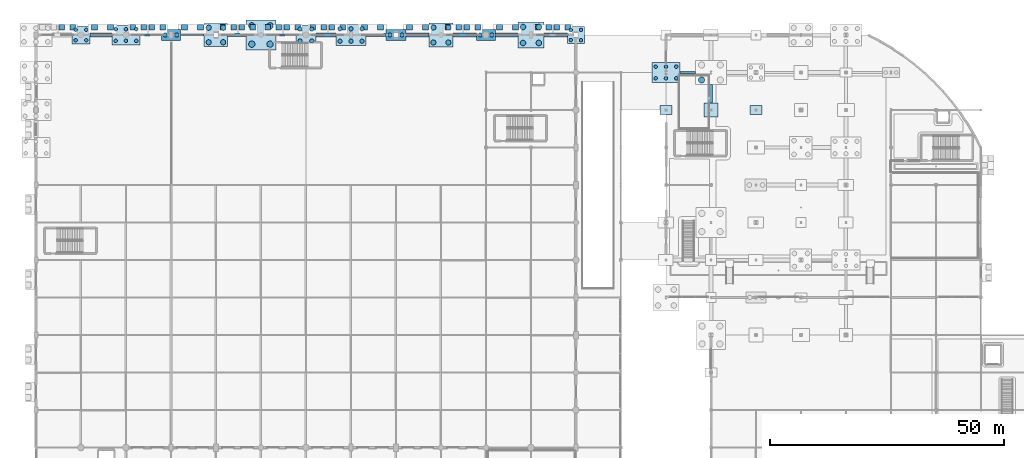
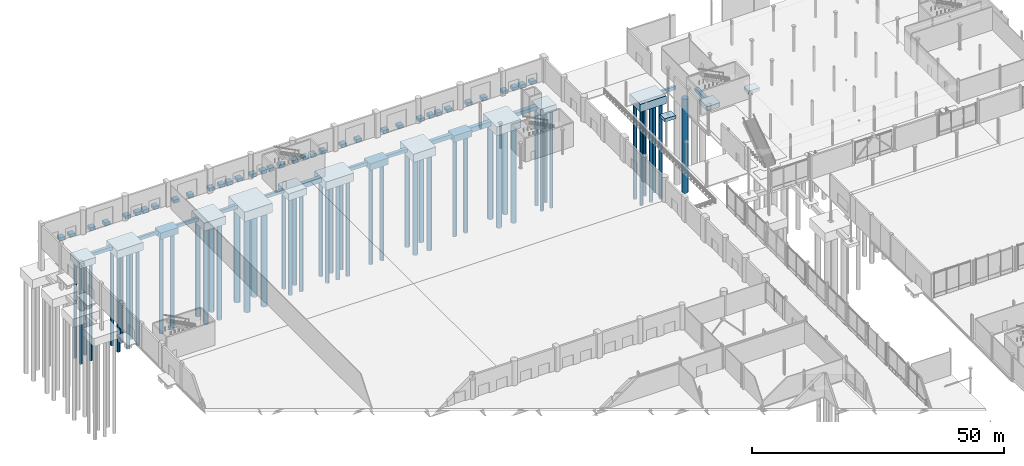
# One storey, part 4 of 124: 65 footings, 53 piles.
"""IFC4 building model written with IfcOpenShell, lengths in metres."""

from ifc_helpers import new_model, si_unit, direction, frame, origin, origin_2d, place, context, subcontext, project, spatial, rectangle, circle, extrude, material, material_profile, profile_set, type_object, element, save


model = new_model("IFC4")

# Units and contexts
model_context = context("Model", 3, precision=1e-05, world=origin(), true_north=direction((0.0, 1.0)))
body_context = subcontext(model_context, "Body", "Model", "MODEL_VIEW")
ifc_project = project(units=[si_unit("LENGTHUNIT", "METRE"), si_unit("AREAUNIT", "SQUARE_METRE"), si_unit("VOLUMEUNIT", "CUBIC_METRE"), si_unit("PLANEANGLEUNIT", "RADIAN"), si_unit("MASSUNIT", "GRAM", prefix="KILO")], contexts=[model_context])

# Site, building, storey
site_placement = place(None, origin())
site = spatial("IfcSite", under=ifc_project, at=site_placement, CompositionType="ELEMENT")
building_placement = place(site_placement, origin())
building = spatial("IfcBuilding", under=site, at=building_placement, Name="Danafjord Basin Convention Centre", CompositionType="ELEMENT")
storey_placement = place(building_placement, origin())
storey = spatial("IfcBuildingStorey", under=building, at=storey_placement, Name="L00", CompositionType="ELEMENT", Elevation=0.0)

# Footings
ifc_material_1 = material(Name="Concrete C40/50", Category="concrete")
footing_type_1 = type_object("IfcFootingType", Name="CAP-PC-03", PredefinedType="PILE_CAP", material=ifc_material_1)
for number, where, z_axis, x_axis, name in (
    (1, (28.800048828125, 144.0, -6.9501953125), (0.0, 0.0, 1.0), (1.0, 0.0, 0.0), "L00 pile cap PC-03 at (28.8, 144.0)"),
    (2, (96.0, 144.0, -6.9501953125), (0.0, 0.0, 1.0), (1.0, 0.0, 0.0), "L00 pile cap PC-03 at (96.0, 144.0)"),
):
    element("IfcFooting", number, at=place(storey_placement, frame(where, z_axis=z_axis, x_axis=x_axis)), inside=storey, type_object=footing_type_1, Name=name, PredefinedType="PILE_CAP", context=body_context, shape_type="SweptSolid", body=[
        extrude(rectangle(XDim=4.10009765625, YDim=2.300048828125, at=origin_2d()), origin(), (0.0, 0.0, 1.0), 1.550048828125),
    ])
footing_type_2 = type_object("IfcFootingType", Name="CAP-PC-04", PredefinedType="PILE_CAP", material=ifc_material_1)
footing_1_placement = place(storey_placement, frame((76.800048828125, 144.0, -7.0), z_axis=(0.0, 0.0, 1.0), x_axis=(1.0, 0.0, 0.0)))
element("IfcFooting", 3, at=footing_1_placement, inside=storey, type_object=footing_type_2, Name="L00 pile cap PC-04 at (76.8, 144.0)", PredefinedType="PILE_CAP", context=body_context, shape_type="SweptSolid", body=[
    extrude(rectangle(XDim=4.300048828125, YDim=2.39990234375, at=origin_2d()), origin(), (0.0, 0.0, 1.0), 1.60009765625),
])
footing_type_3 = type_object("IfcFootingType", Name="CAP-PC-06", PredefinedType="PILE_CAP", material=ifc_material_1)
footing_2_placement = place(storey_placement, frame((115.199951171875, 144.0, -6.89990234375), z_axis=(0.0, 0.0, 1.0), x_axis=(1.0, 0.0, 0.0)))
element("IfcFooting", 4, at=footing_2_placement, inside=storey, type_object=footing_type_3, Name="L00 pile cap PC-06 at (115.2, 144.0)", PredefinedType="PILE_CAP", context=body_context, shape_type="SweptSolid", body=[
    extrude(rectangle(XDim=3.60009765625, YDim=3.60009765625, at=origin_2d()), origin(), (0.0, 0.0, 1.0), 1.5),
])
footing_type_4 = type_object("IfcFootingType", Name="CAP-PC-07", PredefinedType="PILE_CAP", material=ifc_material_1)
footing_3_placement = place(storey_placement, frame((9.60009765625, 144.0, -6.9501953125), z_axis=(0.0, 0.0, 1.0), x_axis=(1.0, 0.0, 0.0)))
element("IfcFooting", 5, at=footing_3_placement, inside=storey, type_object=footing_type_4, Name="L00 pile cap PC-07 at (9.6, 144.0)", PredefinedType="PILE_CAP", context=body_context, shape_type="SweptSolid", body=[
    extrude(rectangle(XDim=3.800048828125, YDim=3.800048828125, at=origin_2d()), origin(), (0.0, 0.0, 1.0), 1.550048828125),
])
footing_type_5 = type_object("IfcFootingType", Name="CAP-PC-08", PredefinedType="PILE_CAP", material=ifc_material_1)
footing_4_placement = place(storey_placement, frame((57.60009765625, 144.0, -7.050048828125), z_axis=(0.0, 0.0, 1.0), x_axis=(1.0, 0.0, 0.0)))
element("IfcFooting", 6, at=footing_4_placement, inside=storey, type_object=footing_type_5, Name="L00 pile cap PC-08 at (57.6, 144.0)", PredefinedType="PILE_CAP", context=body_context, shape_type="SweptSolid", body=[
    extrude(rectangle(XDim=4.199951171875, YDim=4.199951171875, at=origin_2d()), origin(), (0.0, 0.0, 1.0), 1.64990234375),
])
footing_type_6 = type_object("IfcFootingType", Name="CAP-PC-12", PredefinedType="PILE_CAP", material=ifc_material_1)
footing_5_placement = place(storey_placement, frame((38.39990234375, 144.0, -7.35009765625), z_axis=(0.0, 0.0, 1.0), x_axis=(1.0, 0.0, 0.0)))
element("IfcFooting", 7, at=footing_5_placement, inside=storey, type_object=footing_type_6, Name="L00 pile cap PC-12 at (38.4, 144.0)", PredefinedType="PILE_CAP", context=body_context, shape_type="SweptSolid", body=[
    extrude(rectangle(XDim=5.0, YDim=5.0, at=origin_2d()), origin(), (0.0, 0.0, 1.0), 1.949951171875),
])
footing_type_7 = type_object("IfcFootingType", Name="CAP-PC-13", PredefinedType="PILE_CAP", material=ifc_material_1)
footing_6_placement = place(storey_placement, frame((86.39990234375, 144.0, -7.39990234375), z_axis=(0.0, 0.0, 1.0), x_axis=(1.0, 0.0, 0.0)))
element("IfcFooting", 8, at=footing_6_placement, inside=storey, type_object=footing_type_7, Name="L00 pile cap PC-13 at (86.4, 144.0)", PredefinedType="PILE_CAP", context=body_context, shape_type="SweptSolid", body=[
    extrude(rectangle(XDim=5.199951171875, YDim=5.199951171875, at=origin_2d()), origin(), (0.0, 0.0, 1.0), 2.0),
])
footing_type_8 = type_object("IfcFootingType", Name="CAP-PC-14", PredefinedType="PILE_CAP", material=ifc_material_1)
footing_7_placement = place(storey_placement, frame((105.60009765625, 144.0, -7.5), z_axis=(0.0, 0.0, 1.0), x_axis=(1.0, 0.0, 0.0)))
element("IfcFooting", 9, at=footing_7_placement, inside=storey, type_object=footing_type_8, Name="L00 pile cap PC-14 at (105.6, 144.0)", PredefinedType="PILE_CAP", context=body_context, shape_type="SweptSolid", body=[
    extrude(rectangle(XDim=5.5, YDim=5.5, at=origin_2d()), origin(), (0.0, 0.0, 1.0), 2.10009765625),
])
footing_type_9 = type_object("IfcFootingType", Name="CAP-PC-16", PredefinedType="PILE_CAP", material=ifc_material_1)
for number, where, z_axis, x_axis, name in (
    (10, (19.199951171875, 144.0, -7.300048828125), (0.0, 0.0, 1.0), (1.0, 0.0, 0.0), "L00 pile cap PC-16 at (19.2, 144.0)"),
    (11, (134.39990234375, 136.0, -7.300048828125), (0.0, 0.0, 1.0), (1.0, 0.0, 0.0), "L00 pile cap PC-16 at (134.4, 136.0)"),
):
    element("IfcFooting", number, at=place(storey_placement, frame(where, z_axis=z_axis, x_axis=x_axis)), inside=storey, type_object=footing_type_9, Name=name, PredefinedType="PILE_CAP", context=body_context, shape_type="SweptSolid", body=[
        extrude(rectangle(XDim=6.0, YDim=4.300048828125, at=origin_2d()), origin(), (0.0, 0.0, 1.0), 1.89990234375),
    ])
footing_type_10 = type_object("IfcFootingType", Name="CAP-PC-17", PredefinedType="PILE_CAP", material=ifc_material_1)
footing_8_placement = place(storey_placement, frame((67.199951171875, 144.0, -7.39990234375), z_axis=(0.0, 0.0, 1.0), x_axis=(1.0, 0.0, 0.0)))
element("IfcFooting", 12, at=footing_8_placement, inside=storey, type_object=footing_type_10, Name="L00 pile cap PC-17 at (67.2, 144.0)", PredefinedType="PILE_CAP", context=body_context, shape_type="SweptSolid", body=[
    extrude(rectangle(XDim=6.39990234375, YDim=4.5, at=origin_2d()), origin(), (0.0, 0.0, 1.0), 2.0),
])
footing_type_11 = type_object("IfcFootingType", Name="CAP-PC-21", PredefinedType="PILE_CAP", material=ifc_material_1)
footing_9_placement = place(storey_placement, frame((48.0, 144.0, -7.7001953125), z_axis=(0.0, 0.0, 1.0), x_axis=(1.0, 0.0, 0.0)))
element("IfcFooting", 13, at=footing_9_placement, inside=storey, type_object=footing_type_11, Name="L00 pile cap PC-21 at (48.0, 144.0)", PredefinedType="PILE_CAP", context=body_context, shape_type="SweptSolid", body=[
    extrude(rectangle(XDim=6.39990234375, YDim=6.39990234375, at=origin_2d()), origin(), (0.0, 0.0, 1.0), 2.300048828125),
])
ifc_material_profile_1 = material_profile(ifc_material_1, rectangle(XDim=0.800048828125, YDim=1.0, at=origin_2d()), Name="GB 800x1000")
ifc_profile_set_1 = profile_set([ifc_material_profile_1], Name="Concrete C40/50")
footing_type_12 = type_object("IfcFootingType", Name="FBM-FB-01", PredefinedType="FOOTING_BEAM", material=ifc_profile_set_1)
footing_10_placement = place(storey_placement, frame((89.0, 144.0, -5.89990234375), z_axis=(1.0, 0.0, 0.0), x_axis=(0.0, 1.0, 0.0)))
element("IfcFooting", 14, at=footing_10_placement, inside=storey, type_object=footing_type_12, Name="L00 foundation beam FB-01", PredefinedType="FOOTING_BEAM", context=body_context, shape_type="SweptSolid", body=[
    extrude(rectangle(XDim=0.800048828125, YDim=1.0, at=origin_2d()), origin(), (0.0, 0.0, 1.0), 4.949951171875),
])
ifc_material_profile_2 = material_profile(ifc_material_1, rectangle(XDim=0.60009765625, YDim=0.89990234375, at=origin_2d()), Name="GB 600x900")
ifc_profile_set_2 = profile_set([ifc_material_profile_2], Name="Concrete C40/50")
footing_type_13 = type_object("IfcFootingType", Name="FBM-FB-02", PredefinedType="FOOTING_BEAM", material=ifc_profile_set_2)
footing_11_placement = place(storey_placement, frame((40.89990234375, 144.0, -5.85009765625), z_axis=(1.0, 0.0, 0.0), x_axis=(0.0, 1.0, 0.0)))
element("IfcFooting", 15, at=footing_11_placement, inside=storey, type_object=footing_type_13, Name="L00 foundation beam FB-02", PredefinedType="FOOTING_BEAM", context=body_context, shape_type="SweptSolid", body=[
    extrude(rectangle(XDim=0.60009765625, YDim=0.89990234375, at=origin_2d()), origin(), (0.0, 0.0, 1.0), 3.900146484375),
])
footing_12_placement = place(storey_placement, frame((70.39990234375, 144.0, -5.85009765625), z_axis=(1.0, 0.0, 0.0), x_axis=(0.0, 1.0, 0.0)))
element("IfcFooting", 16, at=footing_12_placement, inside=storey, type_object=footing_type_13, Name="L00 foundation beam FB-02", PredefinedType="FOOTING_BEAM", context=body_context, shape_type="SweptSolid", body=[
    extrude(rectangle(XDim=0.60009765625, YDim=0.89990234375, at=origin_2d()), origin(), (0.0, 0.0, 1.0), 4.25),
])
ifc_material_profile_3 = material_profile(ifc_material_1, rectangle(XDim=0.5, YDim=0.800048828125, at=origin_2d()), Name="PCB 500x800")
ifc_profile_set_3 = profile_set([ifc_material_profile_3], Name="Concrete C40/50")
footing_type_14 = type_object("IfcFootingType", Name="FBM-FB-03", PredefinedType="FOOTING_BEAM", material=ifc_profile_set_3)
footing_13_placement = place(storey_placement, frame((22.199951171875, 144.0, -5.800048828125), z_axis=(1.0, 0.0, 0.0), x_axis=(0.0, 1.0, 0.0)))
element("IfcFooting", 17, at=footing_13_placement, inside=storey, type_object=footing_type_14, Name="L00 foundation beam FB-03", PredefinedType="FOOTING_BEAM", context=body_context, shape_type="SweptSolid", body=[
    extrude(rectangle(XDim=0.5, YDim=0.800048828125, at=origin_2d()), origin(), (0.0, 0.0, 1.0), 4.550048828125),
])
footing_14_placement = place(storey_placement, frame((30.85009765625, 144.0, -5.800048828125), z_axis=(1.0, 0.0, 0.0), x_axis=(0.0, 1.0, 0.0)))
element("IfcFooting", 18, at=footing_14_placement, inside=storey, type_object=footing_type_14, Name="L00 foundation beam FB-03", PredefinedType="FOOTING_BEAM", context=body_context, shape_type="SweptSolid", body=[
    extrude(rectangle(XDim=0.5, YDim=0.800048828125, at=origin_2d()), origin(), (0.0, 0.0, 1.0), 5.0498046875),
])
footing_15_placement = place(storey_placement, frame((51.199951171875, 144.0, -5.800048828125), z_axis=(1.0, 0.0, 0.0), x_axis=(0.0, 1.0, 0.0)))
element("IfcFooting", 19, at=footing_15_placement, inside=storey, type_object=footing_type_14, Name="L00 foundation beam FB-03", PredefinedType="FOOTING_BEAM", context=body_context, shape_type="SweptSolid", body=[
    extrude(rectangle(XDim=0.5, YDim=0.800048828125, at=origin_2d()), origin(), (0.0, 0.0, 1.0), 4.300048828125),
])
footing_16_placement = place(storey_placement, frame((137.39990234375, 136.0, -5.800048828125), z_axis=(1.0, 0.0, 0.0), x_axis=(0.0, 1.0, 0.0)))
element("IfcFooting", 20, at=footing_16_placement, inside=storey, type_object=footing_type_14, Name="L00 foundation beam FB-03", PredefinedType="FOOTING_BEAM", context=body_context, shape_type="SweptSolid", body=[
    extrude(rectangle(XDim=0.5, YDim=0.800048828125, at=origin_2d()), origin(), (0.0, 0.0, 1.0), 3.300048828125),
])
ifc_material_profile_4 = material_profile(ifc_material_1, rectangle(XDim=0.75, YDim=0.75, at=origin_2d()), Name="RC 750x750")
ifc_profile_set_4 = profile_set([ifc_material_profile_4], Name="Concrete C40/50")
footing_type_15 = type_object("IfcFootingType", Name="FBM-FB-04", PredefinedType="FOOTING_BEAM", material=ifc_profile_set_4)
footing_17_placement = place(storey_placement, frame((11.5, 144.0, -5.77490234375), z_axis=(1.0, 0.0, 0.0), x_axis=(0.0, 1.0, 0.0)))
element("IfcFooting", 21, at=footing_17_placement, inside=storey, type_object=footing_type_15, Name="L00 foundation beam FB-04", PredefinedType="FOOTING_BEAM", context=body_context, shape_type="SweptSolid", body=[
    extrude(rectangle(XDim=0.75, YDim=0.75, at=origin_2d()), origin(), (0.0, 0.0, 1.0), 4.699951171875),
])
footing_18_placement = place(storey_placement, frame((78.949951171875, 144.0, -5.77490234375), z_axis=(1.0, 0.0, 0.0), x_axis=(0.0, 1.0, 0.0)))
element("IfcFooting", 22, at=footing_18_placement, inside=storey, type_object=footing_type_15, Name="L00 foundation beam FB-04", PredefinedType="FOOTING_BEAM", context=body_context, shape_type="SweptSolid", body=[
    extrude(rectangle(XDim=0.75, YDim=0.75, at=origin_2d()), origin(), (0.0, 0.0, 1.0), 4.85009765625),
])
footing_19_placement = place(storey_placement, frame((144.0, 129.5, -5.77490234375), z_axis=(0.0, 1.0, 0.0), x_axis=(-1.0, 0.0, 0.0)))
element("IfcFooting", 23, at=footing_19_placement, inside=storey, type_object=footing_type_15, Name="L00 foundation tie beam FB-04", PredefinedType="FOOTING_BEAM", context=body_context, shape_type="SweptSolid", body=[
    extrude(rectangle(XDim=0.75, YDim=0.75, at=origin_2d()), origin(), (0.0, 0.0, 1.0), 3.89990234375),
])
ifc_material_profile_5 = material_profile(ifc_material_1, rectangle(XDim=0.89990234375, YDim=0.89990234375, at=origin_2d()), Name="RC 900x900")
ifc_profile_set_5 = profile_set([ifc_material_profile_5], Name="Concrete C40/50")
footing_type_16 = type_object("IfcFootingType", Name="FBM-FB-05", PredefinedType="FOOTING_BEAM", material=ifc_profile_set_5)
footing_20_placement = place(storey_placement, frame((108.35009765625, 144.0, -5.85009765625), z_axis=(1.0, 0.0, 0.0), x_axis=(0.0, 1.0, 0.0)))
element("IfcFooting", 24, at=footing_20_placement, inside=storey, type_object=footing_type_16, Name="L00 foundation beam FB-05", PredefinedType="FOOTING_BEAM", context=body_context, shape_type="SweptSolid", body=[
    extrude(rectangle(XDim=0.89990234375, YDim=0.89990234375, at=origin_2d()), origin(), (0.0, 0.0, 1.0), 5.0498046875),
])
ifc_material_profile_6 = material_profile(ifc_material_1, rectangle(XDim=0.800048828125, YDim=1.199951171875, at=origin_2d()), Name="RC 1200x800")
ifc_profile_set_6 = profile_set([ifc_material_profile_6], Name="Concrete C40/50")
footing_type_17 = type_object("IfcFootingType", Name="FBM-FB-06", PredefinedType="FOOTING_BEAM", material=ifc_profile_set_6)
footing_21_placement = place(storey_placement, frame((59.699951171875, 144.0, -6.0), z_axis=(1.0, 0.0, 0.0), x_axis=(0.0, 1.0, 0.0)))
element("IfcFooting", 25, at=footing_21_placement, inside=storey, type_object=footing_type_17, Name="L00 foundation beam FB-06", PredefinedType="FOOTING_BEAM", context=body_context, shape_type="SweptSolid", body=[
    extrude(rectangle(XDim=0.800048828125, YDim=1.199951171875, at=origin_2d()), origin(), (0.0, 0.0, 1.0), 4.300048828125),
])
footing_22_placement = place(storey_placement, frame((98.050048828125, 144.0, -6.0), z_axis=(1.0, 0.0, 0.0), x_axis=(0.0, 1.0, 0.0)))
element("IfcFooting", 26, at=footing_22_placement, inside=storey, type_object=footing_type_17, Name="L00 foundation beam FB-06", PredefinedType="FOOTING_BEAM", context=body_context, shape_type="SweptSolid", body=[
    extrude(rectangle(XDim=0.800048828125, YDim=1.199951171875, at=origin_2d()), origin(), (0.0, 0.0, 1.0), 4.800048828125),
])
ifc_material_2 = material(Name="Concrete C35/45", Category="concrete")
footing_type_18 = type_object("IfcFootingType", Name="PAD-PF-01", PredefinedType="PAD_FOOTING", material=ifc_material_2)
for number, where, z_axis, x_axis, name in (
    (27, (5.512939453125, 145.64990234375, -1.080078125), (0.0, 0.0, 1.0), (1.0, 0.0, 0.0), "Threshold apron pad footing"),
    (28, (7.866943359375, 145.64990234375, -1.080078125), (0.0, 0.0, 1.0), (1.0, 0.0, 0.0), "Threshold apron pad footing"),
    (29, (12.4951171875, 145.64990234375, -1.080078125), (0.0, 0.0, 1.0), (1.0, 0.0, 0.0), "Threshold apron pad footing"),
    (30, (15.905029296875, 145.64990234375, -1.080078125), (0.0, 0.0, 1.0), (1.0, 0.0, 0.0), "Threshold apron pad footing"),
    (31, (20.613037109375, 145.64990234375, -1.080078125), (0.0, 0.0, 1.0), (1.0, 0.0, 0.0), "Threshold apron pad footing"),
    (32, (22.967041015625, 145.64990234375, -1.080078125), (0.0, 0.0, 1.0), (1.0, 0.0, 0.0), "Threshold apron pad footing"),
    (33, (24.712890625, 145.64990234375, -1.080078125), (0.0, 0.0, 1.0), (1.0, 0.0, 0.0), "Threshold apron pad footing"),
    (34, (27.06689453125, 145.64990234375, -1.080078125), (0.0, 0.0, 1.0), (1.0, 0.0, 0.0), "Threshold apron pad footing"),
    (35, (31.695068359375, 145.64990234375, -1.080078125), (0.0, 0.0, 1.0), (1.0, 0.0, 0.0), "Threshold apron pad footing"),
    (36, (35.10498046875, 145.64990234375, -1.080078125), (0.0, 0.0, 1.0), (1.0, 0.0, 0.0), "Threshold apron pad footing"),
    (37, (39.81298828125, 145.64990234375, -1.080078125), (0.0, 0.0, 1.0), (1.0, 0.0, 0.0), "Threshold apron pad footing"),
    (38, (42.1669921875, 145.64990234375, -1.080078125), (0.0, 0.0, 1.0), (1.0, 0.0, 0.0), "Threshold apron pad footing"),
    (39, (43.9130859375, 145.64990234375, -1.080078125), (0.0, 0.0, 1.0), (1.0, 0.0, 0.0), "Threshold apron pad footing"),
    (40, (46.26708984375, 145.64990234375, -1.080078125), (0.0, 0.0, 1.0), (1.0, 0.0, 0.0), "Threshold apron pad footing"),
    (41, (49.4130859375, 145.64990234375, -1.080078125), (0.0, 0.0, 1.0), (1.0, 0.0, 0.0), "Threshold apron pad footing"),
    (42, (51.76708984375, 145.64990234375, -1.080078125), (0.0, 0.0, 1.0), (1.0, 0.0, 0.0), "Threshold apron pad footing"),
    (43, (53.512939453125, 145.64990234375, -1.080078125), (0.0, 0.0, 1.0), (1.0, 0.0, 0.0), "Threshold apron pad footing"),
    (44, (55.866943359375, 145.64990234375, -1.080078125), (0.0, 0.0, 1.0), (1.0, 0.0, 0.0), "Threshold apron pad footing"),
    (45, (59.012939453125, 145.64990234375, -1.080078125), (0.0, 0.0, 1.0), (1.0, 0.0, 0.0), "Threshold apron pad footing"),
    (46, (61.366943359375, 145.64990234375, -1.080078125), (0.0, 0.0, 1.0), (1.0, 0.0, 0.0), "Threshold apron pad footing"),
    (47, (63.113037109375, 145.64990234375, -1.080078125), (0.0, 0.0, 1.0), (1.0, 0.0, 0.0), "Threshold apron pad footing"),
    (48, (65.467041015625, 145.64990234375, -1.080078125), (0.0, 0.0, 1.0), (1.0, 0.0, 0.0), "Threshold apron pad footing"),
    (49, (70.094970703125, 145.64990234375, -1.080078125), (0.0, 0.0, 1.0), (1.0, 0.0, 0.0), "Threshold apron pad footing"),
    (50, (73.5048828125, 145.64990234375, -1.080078125), (0.0, 0.0, 1.0), (1.0, 0.0, 0.0), "Threshold apron pad footing"),
    (51, (79.695068359375, 145.64990234375, -1.080078125), (0.0, 0.0, 1.0), (1.0, 0.0, 0.0), "Threshold apron pad footing"),
    (52, (83.10498046875, 145.64990234375, -1.080078125), (0.0, 0.0, 1.0), (1.0, 0.0, 0.0), "Threshold apron pad footing"),
    (53, (87.81298828125, 145.64990234375, -1.080078125), (0.0, 0.0, 1.0), (1.0, 0.0, 0.0), "Threshold apron pad footing"),
    (54, (90.1669921875, 145.64990234375, -1.080078125), (0.0, 0.0, 1.0), (1.0, 0.0, 0.0), "Threshold apron pad footing"),
    (55, (91.9130859375, 145.64990234375, -1.080078125), (0.0, 0.0, 1.0), (1.0, 0.0, 0.0), "Threshold apron pad footing"),
    (56, (94.26708984375, 145.64990234375, -1.080078125), (0.0, 0.0, 1.0), (1.0, 0.0, 0.0), "Threshold apron pad footing"),
    (57, (98.89501953125, 145.64990234375, -1.080078125), (0.0, 0.0, 1.0), (1.0, 0.0, 0.0), "Threshold apron pad footing"),
    (58, (102.304931640625, 145.64990234375, -1.080078125), (0.0, 0.0, 1.0), (1.0, 0.0, 0.0), "Threshold apron pad footing"),
    (59, (107.012939453125, 145.64990234375, -1.080078125), (0.0, 0.0, 1.0), (1.0, 0.0, 0.0), "Threshold apron pad footing"),
    (60, (109.366943359375, 145.64990234375, -1.080078125), (0.0, 0.0, 1.0), (1.0, 0.0, 0.0), "Threshold apron pad footing"),
    (61, (111.113037109375, 145.64990234375, -1.080078125), (0.0, 0.0, 1.0), (1.0, 0.0, 0.0), "Threshold apron pad footing"),
    (62, (113.467041015625, 145.64990234375, -1.080078125), (0.0, 0.0, 1.0), (1.0, 0.0, 0.0), "Threshold apron pad footing"),
):
    element("IfcFooting", number, at=place(storey_placement, frame(where, z_axis=z_axis, x_axis=x_axis)), inside=storey, type_object=footing_type_18, Name=name, PredefinedType="PAD_FOOTING", context=body_context, shape_type="SweptSolid", body=[
        extrude(rectangle(XDim=1.199951171875, YDim=1.199951171875, at=origin_2d()), origin(), (0.0, 0.0, 1.0), 0.800048828125),
    ])
footing_type_19 = type_object("IfcFootingType", Name="PAD-PF-06", PredefinedType="PAD_FOOTING", material=ifc_material_2)
footing_23_placement = place(storey_placement, frame((144.0, 128.0, -6.4501953125), z_axis=(0.0, 0.0, 1.0), x_axis=(1.0, 0.0, 0.0)))
element("IfcFooting", 63, at=footing_23_placement, inside=storey, type_object=footing_type_19, Name="L00 pad footing PF-06 at (144.0, 128.0)", PredefinedType="PAD_FOOTING", context=body_context, shape_type="SweptSolid", body=[
    extrude(rectangle(XDim=3.0, YDim=3.0, at=origin_2d()), origin(), (0.0, 0.0, 1.0), 1.050048828125),
])
footing_type_20 = type_object("IfcFootingType", Name="PAD-PF-12", PredefinedType="PAD_FOOTING", material=ifc_material_2)
for number, where, z_axis, x_axis, name in (
    (64, (134.39990234375, 128.0, -6.2001953125), (0.0, 0.0, 1.0), (1.0, 0.0, 0.0), "L00 pad footing PF-12 at (134.4, 128.0)"),
    (65, (153.60009765625, 128.0, -6.2001953125), (0.0, 0.0, 1.0), (1.0, 0.0, 0.0), "L00 pad footing PF-12 at (153.6, 128.0)"),
):
    element("IfcFooting", number, at=place(storey_placement, frame(where, z_axis=z_axis, x_axis=x_axis)), inside=storey, type_object=footing_type_20, Name=name, PredefinedType="PAD_FOOTING", context=body_context, shape_type="SweptSolid", body=[
        extrude(rectangle(XDim=2.5, YDim=1.89990234375, at=origin_2d()), origin(), (0.0, 0.0, 1.0), 0.800048828125),
    ])

# Piles
ifc_material_profile_7 = material_profile(ifc_material_1, circle(Radius=0.550048828125, at=origin_2d()), Name="PILE D1100")
ifc_profile_set_7 = profile_set([ifc_material_profile_7], Name="Concrete C40/50")
pile_type_1 = type_object("IfcPileType", Name="PILE-PL-1100", PredefinedType="BORED", material=ifc_profile_set_7)
for number, where, z_axis, x_axis, name in (
    (66, (36.85009765625, 142.449951171875, -7.25), (0.0, 0.0, -1.0), (1.0, 0.0, 0.0), "PC-12 bored pile 1-1"),
    (67, (36.85009765625, 145.550048828125, -7.25), (0.0, 0.0, -1.0), (1.0, 0.0, 0.0), "PC-12 bored pile 1-2"),
    (68, (39.949951171875, 142.449951171875, -7.25), (0.0, 0.0, -1.0), (1.0, 0.0, 0.0), "PC-12 bored pile 2-1"),
    (69, (39.949951171875, 145.550048828125, -7.25), (0.0, 0.0, -1.0), (1.0, 0.0, 0.0), "PC-12 bored pile 2-2"),
):
    element("IfcPile", number, at=place(storey_placement, frame(where, z_axis=z_axis, x_axis=x_axis)), inside=storey, type_object=pile_type_1, Name=name, PredefinedType="BORED", context=body_context, shape_type="SweptSolid", body=[
        extrude(circle(Radius=0.550048828125, at=origin_2d()), origin(), (0.0, 0.0, 1.0), 23.25),
    ])
for number, where, z_axis, x_axis, name in (
    (70, (84.800048828125, 142.39990234375, -7.300048828125), (0.0, 0.0, -1.0), (1.0, 0.0, 0.0), "PC-13 bored pile 1-1"),
    (71, (84.800048828125, 145.60009765625, -7.300048828125), (0.0, 0.0, -1.0), (1.0, 0.0, 0.0), "PC-13 bored pile 1-2"),
    (72, (88.0, 142.39990234375, -7.300048828125), (0.0, 0.0, -1.0), (1.0, 0.0, 0.0), "PC-13 bored pile 2-1"),
    (73, (88.0, 145.60009765625, -7.300048828125), (0.0, 0.0, -1.0), (1.0, 0.0, 0.0), "PC-13 bored pile 2-2"),
):
    element("IfcPile", number, at=place(storey_placement, frame(where, z_axis=z_axis, x_axis=x_axis)), inside=storey, type_object=pile_type_1, Name=name, PredefinedType="BORED", context=body_context, shape_type="SweptSolid", body=[
        extrude(circle(Radius=0.550048828125, at=origin_2d()), origin(), (0.0, 0.0, 1.0), 23.199951171875),
    ])
ifc_material_profile_8 = material_profile(ifc_material_1, circle(Radius=0.60009765625, at=origin_2d()), Name="PILE D1200")
ifc_profile_set_8 = profile_set([ifc_material_profile_8], Name="Concrete C40/50")
pile_type_2 = type_object("IfcPileType", Name="PILE-PL-1200", PredefinedType="BORED", material=ifc_profile_set_8)
for number, where, z_axis, x_axis, name in (
    (74, (103.89990234375, 142.300048828125, -7.39990234375), (0.0, 0.0, -1.0), (1.0, 0.0, 0.0), "PC-14 bored pile 1-1"),
    (75, (103.89990234375, 145.699951171875, -7.39990234375), (0.0, 0.0, -1.0), (1.0, 0.0, 0.0), "PC-14 bored pile 1-2"),
    (76, (107.300048828125, 142.300048828125, -7.39990234375), (0.0, 0.0, -1.0), (1.0, 0.0, 0.0), "PC-14 bored pile 2-1"),
    (77, (107.300048828125, 145.699951171875, -7.39990234375), (0.0, 0.0, -1.0), (1.0, 0.0, 0.0), "PC-14 bored pile 2-2"),
):
    element("IfcPile", number, at=place(storey_placement, frame(where, z_axis=z_axis, x_axis=x_axis)), inside=storey, type_object=pile_type_2, Name=name, PredefinedType="BORED", context=body_context, shape_type="SweptSolid", body=[
        extrude(circle(Radius=0.60009765625, at=origin_2d()), origin(), (0.0, 0.0, 1.0), 23.10009765625),
    ])
ifc_material_profile_9 = material_profile(ifc_material_1, circle(Radius=0.675048828125, at=origin_2d()), Name="PILE D1350")
ifc_profile_set_9 = profile_set([ifc_material_profile_9], Name="Concrete C40/50")
pile_type_3 = type_object("IfcPileType", Name="PILE-PL-1350", PredefinedType="BORED", material=ifc_profile_set_9)
for number, where, z_axis, x_axis, name in (
    (78, (46.050048828125, 142.050048828125, -7.60009765625), (0.0, 0.0, -1.0), (1.0, 0.0, 0.0), "PC-21 bored pile 1-1"),
    (79, (46.050048828125, 145.949951171875, -7.60009765625), (0.0, 0.0, -1.0), (1.0, 0.0, 0.0), "PC-21 bored pile 1-2"),
    (80, (49.949951171875, 142.050048828125, -7.60009765625), (0.0, 0.0, -1.0), (1.0, 0.0, 0.0), "PC-21 bored pile 2-1"),
    (81, (49.949951171875, 145.949951171875, -7.60009765625), (0.0, 0.0, -1.0), (1.0, 0.0, 0.0), "PC-21 bored pile 2-2"),
):
    element("IfcPile", number, at=place(storey_placement, frame(where, z_axis=z_axis, x_axis=x_axis)), inside=storey, type_object=pile_type_3, Name=name, PredefinedType="BORED", context=body_context, shape_type="SweptSolid", body=[
        extrude(circle(Radius=0.675048828125, at=origin_2d()), origin(), (0.0, 0.0, 1.0), 22.89990234375),
    ])
pile_placement = place(storey_placement, frame((142.0, 134.39990234375, -7.699951171875), z_axis=(0.0, 0.0, -1.0), x_axis=(1.0, 0.0, 0.0)))
element("IfcPile", 82, at=pile_placement, inside=storey, type_object=pile_type_3, Name="PC-22 bored pile 1-1", PredefinedType="BORED", context=body_context, shape_type="SweptSolid", body=[
    extrude(circle(Radius=0.675048828125, at=origin_2d()), origin(), (0.0, 0.0, 1.0), 22.800048828125),
])
ifc_material_profile_10 = material_profile(ifc_material_1, circle(Radius=0.375, at=origin_2d()), Name="PILE D750")
ifc_profile_set_10 = profile_set([ifc_material_profile_10], Name="Concrete C40/50")
pile_type_4 = type_object("IfcPileType", Name="PILE-PL-750", PredefinedType="BORED", material=ifc_profile_set_10)
for number, where, z_axis, x_axis, name in (
    (83, (8.47509765625, 142.875, -6.85009765625), (0.0, 0.0, -1.0), (1.0, 0.0, 0.0), "PC-07 bored pile 1-1"),
    (84, (8.47509765625, 145.125, -6.85009765625), (0.0, 0.0, -1.0), (1.0, 0.0, 0.0), "PC-07 bored pile 1-2"),
    (85, (10.72509765625, 142.875, -6.85009765625), (0.0, 0.0, -1.0), (1.0, 0.0, 0.0), "PC-07 bored pile 2-1"),
    (86, (10.72509765625, 145.125, -6.85009765625), (0.0, 0.0, -1.0), (1.0, 0.0, 0.0), "PC-07 bored pile 2-2"),
):
    element("IfcPile", number, at=place(storey_placement, frame(where, z_axis=z_axis, x_axis=x_axis)), inside=storey, type_object=pile_type_4, Name=name, PredefinedType="BORED", context=body_context, shape_type="SweptSolid", body=[
        extrude(circle(Radius=0.375, at=origin_2d()), origin(), (0.0, 0.0, 1.0), 23.64990234375),
    ])
for number, where, z_axis, x_axis, name in (
    (87, (17.0, 142.75, -7.199951171875), (0.0, 0.0, -1.0), (1.0, 0.0, 0.0), "PC-16 bored pile 1-1"),
    (88, (17.0, 145.25, -7.199951171875), (0.0, 0.0, -1.0), (1.0, 0.0, 0.0), "PC-16 bored pile 1-2"),
    (89, (19.199951171875, 142.75, -7.199951171875), (0.0, 0.0, -1.0), (1.0, 0.0, 0.0), "PC-16 bored pile 2-1"),
    (90, (19.199951171875, 145.25, -7.199951171875), (0.0, 0.0, -1.0), (1.0, 0.0, 0.0), "PC-16 bored pile 2-2"),
    (91, (21.39990234375, 142.75, -7.199951171875), (0.0, 0.0, -1.0), (1.0, 0.0, 0.0), "PC-16 bored pile 3-1"),
    (92, (21.39990234375, 145.25, -7.199951171875), (0.0, 0.0, -1.0), (1.0, 0.0, 0.0), "PC-16 bored pile 3-2"),
):
    element("IfcPile", number, at=place(storey_placement, frame(where, z_axis=z_axis, x_axis=x_axis)), inside=storey, type_object=pile_type_4, Name=name, PredefinedType="BORED", context=body_context, shape_type="SweptSolid", body=[
        extrude(circle(Radius=0.375, at=origin_2d()), origin(), (0.0, 0.0, 1.0), 23.300048828125),
    ])
for number, where, z_axis, x_axis, name in (
    (93, (114.125, 142.925048828125, -6.800048828125), (0.0, 0.0, -1.0), (1.0, 0.0, 0.0), "PC-06 bored pile 1-1"),
    (94, (114.125, 145.074951171875, -6.800048828125), (0.0, 0.0, -1.0), (1.0, 0.0, 0.0), "PC-06 bored pile 1-2"),
    (95, (116.27490234375, 142.925048828125, -6.800048828125), (0.0, 0.0, -1.0), (1.0, 0.0, 0.0), "PC-06 bored pile 2-1"),
    (96, (116.27490234375, 145.074951171875, -6.800048828125), (0.0, 0.0, -1.0), (1.0, 0.0, 0.0), "PC-06 bored pile 2-2"),
):
    element("IfcPile", number, at=place(storey_placement, frame(where, z_axis=z_axis, x_axis=x_axis)), inside=storey, type_object=pile_type_4, Name=name, PredefinedType="BORED", context=body_context, shape_type="SweptSolid", body=[
        extrude(circle(Radius=0.375, at=origin_2d()), origin(), (0.0, 0.0, 1.0), 23.699951171875),
    ])
for number, where, z_axis, x_axis, name in (
    (97, (132.199951171875, 134.75, -7.199951171875), (0.0, 0.0, -1.0), (1.0, 0.0, 0.0), "PC-16 bored pile 1-1"),
    (98, (132.199951171875, 137.25, -7.199951171875), (0.0, 0.0, -1.0), (1.0, 0.0, 0.0), "PC-16 bored pile 1-2"),
    (99, (134.39990234375, 134.75, -7.199951171875), (0.0, 0.0, -1.0), (1.0, 0.0, 0.0), "PC-16 bored pile 2-1"),
    (100, (134.39990234375, 137.25, -7.199951171875), (0.0, 0.0, -1.0), (1.0, 0.0, 0.0), "PC-16 bored pile 2-2"),
    (101, (136.60009765625, 134.75, -7.199951171875), (0.0, 0.0, -1.0), (1.0, 0.0, 0.0), "PC-16 bored pile 3-1"),
    (102, (136.60009765625, 137.25, -7.199951171875), (0.0, 0.0, -1.0), (1.0, 0.0, 0.0), "PC-16 bored pile 3-2"),
):
    element("IfcPile", number, at=place(storey_placement, frame(where, z_axis=z_axis, x_axis=x_axis)), inside=storey, type_object=pile_type_4, Name=name, PredefinedType="BORED", context=body_context, shape_type="SweptSolid", body=[
        extrude(circle(Radius=0.375, at=origin_2d()), origin(), (0.0, 0.0, 1.0), 23.300048828125),
    ])
ifc_material_profile_11 = material_profile(ifc_material_1, circle(Radius=0.449951171875, at=origin_2d()), Name="PILE D900")
ifc_profile_set_11 = profile_set([ifc_material_profile_11], Name="Concrete C40/50")
pile_type_5 = type_object("IfcPileType", Name="PILE-PL-900", PredefinedType="BORED", material=ifc_profile_set_11)
for number, where, z_axis, x_axis, name in (
    (103, (27.550048828125, 144.0, -6.85009765625), (0.0, 0.0, -1.0), (1.0, 0.0, 0.0), "PC-03 bored pile 1-1"),
    (104, (30.050048828125, 144.0, -6.85009765625), (0.0, 0.0, -1.0), (1.0, 0.0, 0.0), "PC-03 bored pile 2-1"),
):
    element("IfcPile", number, at=place(storey_placement, frame(where, z_axis=z_axis, x_axis=x_axis)), inside=storey, type_object=pile_type_5, Name=name, PredefinedType="BORED", context=body_context, shape_type="SweptSolid", body=[
        extrude(circle(Radius=0.449951171875, at=origin_2d()), origin(), (0.0, 0.0, 1.0), 23.64990234375),
    ])
for number, where, z_axis, x_axis, name in (
    (105, (56.35009765625, 142.75, -6.949951171875), (0.0, 0.0, -1.0), (1.0, 0.0, 0.0), "PC-08 bored pile 1-1"),
    (106, (56.35009765625, 145.25, -6.949951171875), (0.0, 0.0, -1.0), (1.0, 0.0, 0.0), "PC-08 bored pile 1-2"),
    (107, (58.85009765625, 142.75, -6.949951171875), (0.0, 0.0, -1.0), (1.0, 0.0, 0.0), "PC-08 bored pile 2-1"),
    (108, (58.85009765625, 145.25, -6.949951171875), (0.0, 0.0, -1.0), (1.0, 0.0, 0.0), "PC-08 bored pile 2-2"),
):
    element("IfcPile", number, at=place(storey_placement, frame(where, z_axis=z_axis, x_axis=x_axis)), inside=storey, type_object=pile_type_5, Name=name, PredefinedType="BORED", context=body_context, shape_type="SweptSolid", body=[
        extrude(circle(Radius=0.449951171875, at=origin_2d()), origin(), (0.0, 0.0, 1.0), 23.550048828125),
    ])
for number, where, z_axis, x_axis, name in (
    (109, (64.85009765625, 142.675048828125, -7.300048828125), (0.0, 0.0, -1.0), (1.0, 0.0, 0.0), "PC-17 bored pile 1-1"),
    (110, (64.85009765625, 145.324951171875, -7.300048828125), (0.0, 0.0, -1.0), (1.0, 0.0, 0.0), "PC-17 bored pile 1-2"),
    (111, (67.199951171875, 142.675048828125, -7.300048828125), (0.0, 0.0, -1.0), (1.0, 0.0, 0.0), "PC-17 bored pile 2-1"),
    (112, (67.199951171875, 145.324951171875, -7.300048828125), (0.0, 0.0, -1.0), (1.0, 0.0, 0.0), "PC-17 bored pile 2-2"),
    (113, (69.550048828125, 142.675048828125, -7.300048828125), (0.0, 0.0, -1.0), (1.0, 0.0, 0.0), "PC-17 bored pile 3-1"),
    (114, (69.550048828125, 145.324951171875, -7.300048828125), (0.0, 0.0, -1.0), (1.0, 0.0, 0.0), "PC-17 bored pile 3-2"),
):
    element("IfcPile", number, at=place(storey_placement, frame(where, z_axis=z_axis, x_axis=x_axis)), inside=storey, type_object=pile_type_5, Name=name, PredefinedType="BORED", context=body_context, shape_type="SweptSolid", body=[
        extrude(circle(Radius=0.449951171875, at=origin_2d()), origin(), (0.0, 0.0, 1.0), 23.199951171875),
    ])
for number, where, z_axis, x_axis, name in (
    (115, (75.5, 144.0, -6.89990234375), (0.0, 0.0, -1.0), (1.0, 0.0, 0.0), "PC-04 bored pile 1-1"),
    (116, (78.10009765625, 144.0, -6.89990234375), (0.0, 0.0, -1.0), (1.0, 0.0, 0.0), "PC-04 bored pile 2-1"),
):
    element("IfcPile", number, at=place(storey_placement, frame(where, z_axis=z_axis, x_axis=x_axis)), inside=storey, type_object=pile_type_5, Name=name, PredefinedType="BORED", context=body_context, shape_type="SweptSolid", body=[
        extrude(circle(Radius=0.449951171875, at=origin_2d()), origin(), (0.0, 0.0, 1.0), 23.60009765625),
    ])
for number, where, z_axis, x_axis, name in (
    (117, (94.75, 144.0, -6.85009765625), (0.0, 0.0, -1.0), (1.0, 0.0, 0.0), "PC-03 bored pile 1-1"),
    (118, (97.25, 144.0, -6.85009765625), (0.0, 0.0, -1.0), (1.0, 0.0, 0.0), "PC-03 bored pile 2-1"),
):
    element("IfcPile", number, at=place(storey_placement, frame(where, z_axis=z_axis, x_axis=x_axis)), inside=storey, type_object=pile_type_5, Name=name, PredefinedType="BORED", context=body_context, shape_type="SweptSolid", body=[
        extrude(circle(Radius=0.449951171875, at=origin_2d()), origin(), (0.0, 0.0, 1.0), 23.64990234375),
    ])

save(model, "model.ifc")
